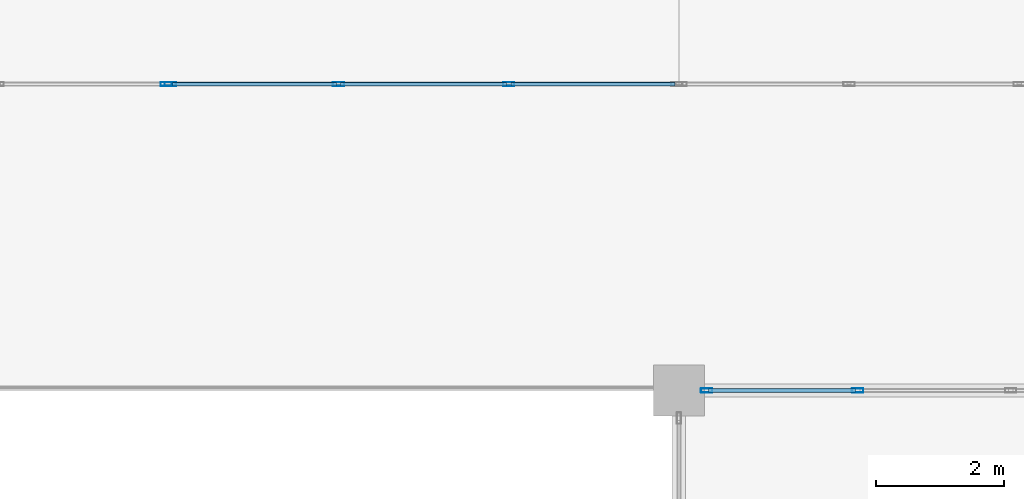
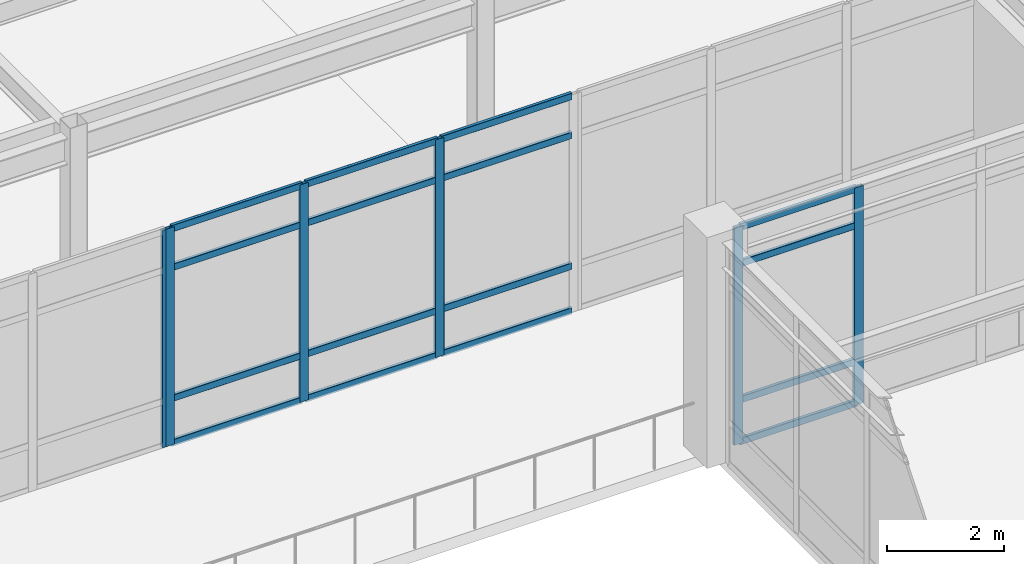
# One storey, part 51 of 117: 22 members, 3 elements without a shape of their own.
"""IFC4 building model written with IfcOpenShell, lengths in metres."""

from ifc_helpers import new_model, si_unit, direction, frame, origin, origin_2d, place, context, subcontext, project, spatial, hollow_rectangle, extrude, material, material_profile, profile_set, type_object, element, aggregate, save


model = new_model("IFC4")

# Units and contexts
model_context = context("Model", 3, precision=1e-05, world=origin(), true_north=direction((0.0, 1.0)))
body_context = subcontext(model_context, "Body", "Model", "MODEL_VIEW")
ifc_project = project(units=[si_unit("LENGTHUNIT", "METRE"), si_unit("AREAUNIT", "SQUARE_METRE"), si_unit("VOLUMEUNIT", "CUBIC_METRE"), si_unit("PLANEANGLEUNIT", "RADIAN"), si_unit("MASSUNIT", "GRAM", prefix="KILO")], contexts=[model_context])

# Site, building, storey
site_placement = place(None, origin())
site = spatial("IfcSite", under=ifc_project, at=site_placement, CompositionType="ELEMENT")
building_placement = place(site_placement, origin())
building = spatial("IfcBuilding", under=site, at=building_placement, Name="Solmirada Galleria", CompositionType="ELEMENT")
storey_placement = place(building_placement, frame((0.0, 0.0, 5.60009765625)))
storey = spatial("IfcBuildingStorey", under=building, at=storey_placement, Name="L01", CompositionType="ELEMENT", Elevation=5.60009765625)

# Curtain wall, members
ifc_material_1 = material(Name="Impact-resistant low-E double glazing", Category="glass")
curtain_wall_type_1 = type_object("IfcCurtainWallType", Name="CW-FZ3-L01-B3-L072", PredefinedType="NOTDEFINED", material=ifc_material_1)
curtain_wall_1_placement = place(storey_placement, origin())
curtain_wall_1 = element("IfcCurtainWall", 1, at=curtain_wall_1_placement, inside=storey, type_object=curtain_wall_type_1, Name="Terrace and arcade storefront CW-L01-047", PredefinedType="NOTDEFINED")
ifc_material_2 = material(Name="Anodised aluminium framing", Category="aluminium")
ifc_material_profile_1 = material_profile(ifc_material_2, hollow_rectangle(XDim=0.06494140625, YDim=0.179931640625, WallThickness=0.00390625, InnerFilletRadius=0.00390625, OuterFilletRadius=0.008056640625, at=origin_2d()), Name="ALU-MULL-180X65")
ifc_profile_set_1 = profile_set([ifc_material_profile_1], Name="Anodised aluminium framing")
member_type_1 = type_object("IfcMemberType", Name="CW-MULL-180", PredefinedType="MULLION", material=ifc_profile_set_1)
member_1_placement = place(storey_placement, frame((80.4345703125, 72.0, 0.0), z_axis=(0.0, 0.0, 1.0), x_axis=(0.0, 1.0, 0.0)))
member_1 = element("IfcMember", 2, at=member_1_placement, type_object=member_type_1, Name="CW12 mullion 1", PredefinedType="MULLION", context=body_context, shape_type="SweptSolid", body=[
    extrude(hollow_rectangle(XDim=0.06494140625, YDim=0.179931640625, WallThickness=0.00390625, InnerFilletRadius=0.00390625, OuterFilletRadius=0.008056640625, at=origin_2d()), origin(), (0.0, 0.0, 1.0), 4.52001953125),
])
member_2_placement = place(storey_placement, frame((82.80078125, 72.0, 0.0), z_axis=(0.0, 0.0, 1.0), x_axis=(0.0, 1.0, 0.0)))
member_2 = element("IfcMember", 3, at=member_2_placement, type_object=member_type_1, Name="CW12 mullion 2", PredefinedType="MULLION", context=body_context, shape_type="SweptSolid", body=[
    extrude(hollow_rectangle(XDim=0.06494140625, YDim=0.179931640625, WallThickness=0.00390625, InnerFilletRadius=0.00390625, OuterFilletRadius=0.008056640625, at=origin_2d()), origin(), (0.0, 0.0, 1.0), 4.52001953125),
])

curtain_wall_type_2 = type_object("IfcCurtainWallType", Name="CW-FZ4-L01-B3-L080", PredefinedType="NOTDEFINED", material=ifc_material_1)
curtain_wall_2_placement = place(storey_placement, origin())
curtain_wall_2 = element("IfcCurtainWall", 4, at=curtain_wall_2_placement, inside=storey, type_object=curtain_wall_type_2, Name="Terrace and arcade storefront CW-L01-049", PredefinedType="NOTDEFINED")
member_3_placement = place(storey_placement, frame((77.333251953125, 76.800048828125, 0.0), z_axis=(0.0, 0.0, 1.0), x_axis=(0.0, -1.0, 0.0)))
member_3 = element("IfcMember", 5, at=member_3_placement, type_object=member_type_1, Name="CW13 mullion 2", PredefinedType="MULLION", context=body_context, shape_type="SweptSolid", body=[
    extrude(hollow_rectangle(XDim=0.06494140625, YDim=0.179931640625, WallThickness=0.00390625, InnerFilletRadius=0.00390625, OuterFilletRadius=0.008056640625, at=origin_2d()), origin(), (0.0, 0.0, 1.0), 4.52001953125),
])
member_4_placement = place(storey_placement, frame((74.666748046875, 76.800048828125, 0.0), z_axis=(0.0, 0.0, 1.0), x_axis=(0.0, -1.0, 0.0)))
member_4 = element("IfcMember", 6, at=member_4_placement, type_object=member_type_1, Name="CW13 mullion 3", PredefinedType="MULLION", context=body_context, shape_type="SweptSolid", body=[
    extrude(hollow_rectangle(XDim=0.06494140625, YDim=0.179931640625, WallThickness=0.00390625, InnerFilletRadius=0.00390625, OuterFilletRadius=0.008056640625, at=origin_2d()), origin(), (0.0, 0.0, 1.0), 4.52001953125),
])
member_5_placement = place(storey_placement, frame((72.032470703125, 76.800048828125, 0.0), z_axis=(0.0, 0.0, 1.0), x_axis=(0.0, -1.0, 0.0)))
member_5 = element("IfcMember", 7, at=member_5_placement, type_object=member_type_1, Name="CW13 mullion 4", PredefinedType="MULLION", context=body_context, shape_type="SweptSolid", body=[
    extrude(hollow_rectangle(XDim=0.06494140625, YDim=0.179931640625, WallThickness=0.00390625, InnerFilletRadius=0.00390625, OuterFilletRadius=0.008056640625, at=origin_2d()), origin(), (0.0, 0.0, 1.0), 4.52001953125),
])

# Curtain wall, member
curtain_wall_3_placement = place(storey_placement, origin())
curtain_wall_3 = element("IfcCurtainWall", 8, at=curtain_wall_3_placement, inside=storey, type_object=curtain_wall_type_2, Name="Terrace and arcade storefront CW-L01-050", PredefinedType="NOTDEFINED")
member_6_placement = place(storey_placement, frame((71.967529296875, 76.800048828125, 0.0), z_axis=(0.0, 0.0, 1.0), x_axis=(0.0, -1.0, 0.0)))
member_6 = element("IfcMember", 9, at=member_6_placement, type_object=member_type_1, Name="CW13 mullion 1", PredefinedType="MULLION", context=body_context, shape_type="SweptSolid", body=[
    extrude(hollow_rectangle(XDim=0.06494140625, YDim=0.179931640625, WallThickness=0.00390625, InnerFilletRadius=0.00390625, OuterFilletRadius=0.008056640625, at=origin_2d()), origin(), (0.0, 0.0, 1.0), 4.52001953125),
])
aggregate(curtain_wall_3, [member_6])

# Member
ifc_material_profile_2 = material_profile(ifc_material_2, hollow_rectangle(XDim=0.06494140625, YDim=0.139892578125, WallThickness=0.00341796875, InnerFilletRadius=0.00341796875, OuterFilletRadius=0.007080078125, at=origin_2d()), Name="ALU-TRAN-140X65")
ifc_profile_set_2 = profile_set([ifc_material_profile_2], Name="Anodised aluminium framing")
member_type_2 = type_object("IfcMemberType", Name="CW-TRAN-140", PredefinedType="USERDEFINED", material=ifc_profile_set_2)
member_7_placement = place(storey_placement, frame((80.467041015625, 72.0, 0.032470703125), z_axis=(1.0, 0.0, 0.0), x_axis=(0.0, 1.0, 0.0)))
member_7 = element("IfcMember", 10, at=member_7_placement, type_object=member_type_2, Name="CW12 transom 1.1", ObjectType="TRANSOM", PredefinedType="USERDEFINED", context=body_context, shape_type="SweptSolid", body=[
    extrude(hollow_rectangle(XDim=0.06494140625, YDim=0.139892578125, WallThickness=0.00341796875, InnerFilletRadius=0.00341796875, OuterFilletRadius=0.007080078125, at=origin_2d()), origin(), (0.0, 0.0, 1.0), 2.301025390625),
])

member_8_placement = place(storey_placement, frame((80.467041015625, 72.0, 0.89990234375), z_axis=(1.0, 0.0, 0.0), x_axis=(0.0, 1.0, 0.0)))
member_8 = element("IfcMember", 11, at=member_8_placement, type_object=member_type_2, Name="CW12 transom 1.2", ObjectType="TRANSOM", PredefinedType="USERDEFINED", context=body_context, shape_type="SweptSolid", body=[
    extrude(hollow_rectangle(XDim=0.06494140625, YDim=0.139892578125, WallThickness=0.00341796875, InnerFilletRadius=0.00341796875, OuterFilletRadius=0.007080078125, at=origin_2d()), origin(), (0.0, 0.0, 1.0), 2.301025390625),
])

member_9_placement = place(storey_placement, frame((80.467041015625, 72.0, 3.72998046875), z_axis=(1.0, 0.0, 0.0), x_axis=(0.0, 1.0, 0.0)))
member_9 = element("IfcMember", 12, at=member_9_placement, type_object=member_type_2, Name="CW12 transom 1.3", ObjectType="TRANSOM", PredefinedType="USERDEFINED", context=body_context, shape_type="SweptSolid", body=[
    extrude(hollow_rectangle(XDim=0.06494140625, YDim=0.139892578125, WallThickness=0.00341796875, InnerFilletRadius=0.00341796875, OuterFilletRadius=0.007080078125, at=origin_2d()), origin(), (0.0, 0.0, 1.0), 2.301025390625),
])

member_10_placement = place(storey_placement, frame((80.467041015625, 72.0, 4.4873046875), z_axis=(1.0, 0.0, 0.0), x_axis=(0.0, 1.0, 0.0)))
member_10 = element("IfcMember", 13, at=member_10_placement, type_object=member_type_2, Name="CW12 transom 1.4", ObjectType="TRANSOM", PredefinedType="USERDEFINED", context=body_context, shape_type="SweptSolid", body=[
    extrude(hollow_rectangle(XDim=0.06494140625, YDim=0.139892578125, WallThickness=0.00341796875, InnerFilletRadius=0.00341796875, OuterFilletRadius=0.007080078125, at=origin_2d()), origin(), (0.0, 0.0, 1.0), 2.301025390625),
])

aggregate(curtain_wall_1, [member_1, member_2, member_7, member_8, member_9, member_10])

member_11_placement = place(storey_placement, frame((79.93505859375, 76.800048828125, 0.032470703125), z_axis=(-1.0, 0.0, 0.0), x_axis=(0.0, -1.0, 0.0)))
member_11 = element("IfcMember", 14, at=member_11_placement, type_object=member_type_2, Name="CW13 transom 1.1", ObjectType="TRANSOM", PredefinedType="USERDEFINED", context=body_context, shape_type="SweptSolid", body=[
    extrude(hollow_rectangle(XDim=0.06494140625, YDim=0.139892578125, WallThickness=0.00341796875, InnerFilletRadius=0.00341796875, OuterFilletRadius=0.007080078125, at=origin_2d()), origin(), (0.0, 0.0, 1.0), 2.5693359375),
])

member_12_placement = place(storey_placement, frame((79.93505859375, 76.800048828125, 0.9599609375), z_axis=(-1.0, 0.0, 0.0), x_axis=(0.0, -1.0, 0.0)))
member_12 = element("IfcMember", 15, at=member_12_placement, type_object=member_type_2, Name="CW13 transom 1.2", ObjectType="TRANSOM", PredefinedType="USERDEFINED", context=body_context, shape_type="SweptSolid", body=[
    extrude(hollow_rectangle(XDim=0.06494140625, YDim=0.139892578125, WallThickness=0.00341796875, InnerFilletRadius=0.00341796875, OuterFilletRadius=0.007080078125, at=origin_2d()), origin(), (0.0, 0.0, 1.0), 2.5693359375),
])

member_13_placement = place(storey_placement, frame((79.93505859375, 76.800048828125, 3.679931640625), z_axis=(-1.0, 0.0, 0.0), x_axis=(0.0, -1.0, 0.0)))
member_13 = element("IfcMember", 16, at=member_13_placement, type_object=member_type_2, Name="CW13 transom 1.3", ObjectType="TRANSOM", PredefinedType="USERDEFINED", context=body_context, shape_type="SweptSolid", body=[
    extrude(hollow_rectangle(XDim=0.06494140625, YDim=0.139892578125, WallThickness=0.00341796875, InnerFilletRadius=0.00341796875, OuterFilletRadius=0.007080078125, at=origin_2d()), origin(), (0.0, 0.0, 1.0), 2.5693359375),
])

member_14_placement = place(storey_placement, frame((79.93505859375, 76.800048828125, 4.4873046875), z_axis=(-1.0, 0.0, 0.0), x_axis=(0.0, -1.0, 0.0)))
member_14 = element("IfcMember", 17, at=member_14_placement, type_object=member_type_2, Name="CW13 transom 1.4", ObjectType="TRANSOM", PredefinedType="USERDEFINED", context=body_context, shape_type="SweptSolid", body=[
    extrude(hollow_rectangle(XDim=0.06494140625, YDim=0.139892578125, WallThickness=0.00341796875, InnerFilletRadius=0.00341796875, OuterFilletRadius=0.007080078125, at=origin_2d()), origin(), (0.0, 0.0, 1.0), 2.5693359375),
])

member_15_placement = place(storey_placement, frame((77.30078125, 76.800048828125, 0.032470703125), z_axis=(-1.0, 0.0, 0.0), x_axis=(0.0, -1.0, 0.0)))
member_15 = element("IfcMember", 18, at=member_15_placement, type_object=member_type_2, Name="CW13 transom 2.1", ObjectType="TRANSOM", PredefinedType="USERDEFINED", context=body_context, shape_type="SweptSolid", body=[
    extrude(hollow_rectangle(XDim=0.06494140625, YDim=0.139892578125, WallThickness=0.00341796875, InnerFilletRadius=0.00341796875, OuterFilletRadius=0.007080078125, at=origin_2d()), origin(), (0.0, 0.0, 1.0), 2.6015625),
])

member_16_placement = place(storey_placement, frame((77.30078125, 76.800048828125, 0.9599609375), z_axis=(-1.0, 0.0, 0.0), x_axis=(0.0, -1.0, 0.0)))
member_16 = element("IfcMember", 19, at=member_16_placement, type_object=member_type_2, Name="CW13 transom 2.2", ObjectType="TRANSOM", PredefinedType="USERDEFINED", context=body_context, shape_type="SweptSolid", body=[
    extrude(hollow_rectangle(XDim=0.06494140625, YDim=0.139892578125, WallThickness=0.00341796875, InnerFilletRadius=0.00341796875, OuterFilletRadius=0.007080078125, at=origin_2d()), origin(), (0.0, 0.0, 1.0), 2.6015625),
])

member_17_placement = place(storey_placement, frame((77.30078125, 76.800048828125, 3.679931640625), z_axis=(-1.0, 0.0, 0.0), x_axis=(0.0, -1.0, 0.0)))
member_17 = element("IfcMember", 20, at=member_17_placement, type_object=member_type_2, Name="CW13 transom 2.3", ObjectType="TRANSOM", PredefinedType="USERDEFINED", context=body_context, shape_type="SweptSolid", body=[
    extrude(hollow_rectangle(XDim=0.06494140625, YDim=0.139892578125, WallThickness=0.00341796875, InnerFilletRadius=0.00341796875, OuterFilletRadius=0.007080078125, at=origin_2d()), origin(), (0.0, 0.0, 1.0), 2.6015625),
])

member_18_placement = place(storey_placement, frame((77.30078125, 76.800048828125, 4.4873046875), z_axis=(-1.0, 0.0, 0.0), x_axis=(0.0, -1.0, 0.0)))
member_18 = element("IfcMember", 21, at=member_18_placement, type_object=member_type_2, Name="CW13 transom 2.4", ObjectType="TRANSOM", PredefinedType="USERDEFINED", context=body_context, shape_type="SweptSolid", body=[
    extrude(hollow_rectangle(XDim=0.06494140625, YDim=0.139892578125, WallThickness=0.00341796875, InnerFilletRadius=0.00341796875, OuterFilletRadius=0.007080078125, at=origin_2d()), origin(), (0.0, 0.0, 1.0), 2.6015625),
])

member_19_placement = place(storey_placement, frame((74.63427734375, 76.800048828125, 0.032470703125), z_axis=(-1.0, 0.0, 0.0), x_axis=(0.0, -1.0, 0.0)))
member_19 = element("IfcMember", 22, at=member_19_placement, type_object=member_type_2, Name="CW13 transom 3.1", ObjectType="TRANSOM", PredefinedType="USERDEFINED", context=body_context, shape_type="SweptSolid", body=[
    extrude(hollow_rectangle(XDim=0.06494140625, YDim=0.139892578125, WallThickness=0.00341796875, InnerFilletRadius=0.00341796875, OuterFilletRadius=0.007080078125, at=origin_2d()), origin(), (0.0, 0.0, 1.0), 2.5693359375),
])

member_20_placement = place(storey_placement, frame((74.63427734375, 76.800048828125, 0.9599609375), z_axis=(-1.0, 0.0, 0.0), x_axis=(0.0, -1.0, 0.0)))
member_20 = element("IfcMember", 23, at=member_20_placement, type_object=member_type_2, Name="CW13 transom 3.2", ObjectType="TRANSOM", PredefinedType="USERDEFINED", context=body_context, shape_type="SweptSolid", body=[
    extrude(hollow_rectangle(XDim=0.06494140625, YDim=0.139892578125, WallThickness=0.00341796875, InnerFilletRadius=0.00341796875, OuterFilletRadius=0.007080078125, at=origin_2d()), origin(), (0.0, 0.0, 1.0), 2.5693359375),
])

member_21_placement = place(storey_placement, frame((74.63427734375, 76.800048828125, 3.679931640625), z_axis=(-1.0, 0.0, 0.0), x_axis=(0.0, -1.0, 0.0)))
member_21 = element("IfcMember", 24, at=member_21_placement, type_object=member_type_2, Name="CW13 transom 3.3", ObjectType="TRANSOM", PredefinedType="USERDEFINED", context=body_context, shape_type="SweptSolid", body=[
    extrude(hollow_rectangle(XDim=0.06494140625, YDim=0.139892578125, WallThickness=0.00341796875, InnerFilletRadius=0.00341796875, OuterFilletRadius=0.007080078125, at=origin_2d()), origin(), (0.0, 0.0, 1.0), 2.5693359375),
])

member_22_placement = place(storey_placement, frame((74.63427734375, 76.800048828125, 4.4873046875), z_axis=(-1.0, 0.0, 0.0), x_axis=(0.0, -1.0, 0.0)))
member_22 = element("IfcMember", 25, at=member_22_placement, type_object=member_type_2, Name="CW13 transom 3.4", ObjectType="TRANSOM", PredefinedType="USERDEFINED", context=body_context, shape_type="SweptSolid", body=[
    extrude(hollow_rectangle(XDim=0.06494140625, YDim=0.139892578125, WallThickness=0.00341796875, InnerFilletRadius=0.00341796875, OuterFilletRadius=0.007080078125, at=origin_2d()), origin(), (0.0, 0.0, 1.0), 2.5693359375),
])

aggregate(curtain_wall_2, [member_3, member_4, member_5, member_11, member_12, member_13, member_14, member_15, member_16, member_17, member_18, member_19, member_20, member_21, member_22])

save(model, "model.ifc")
